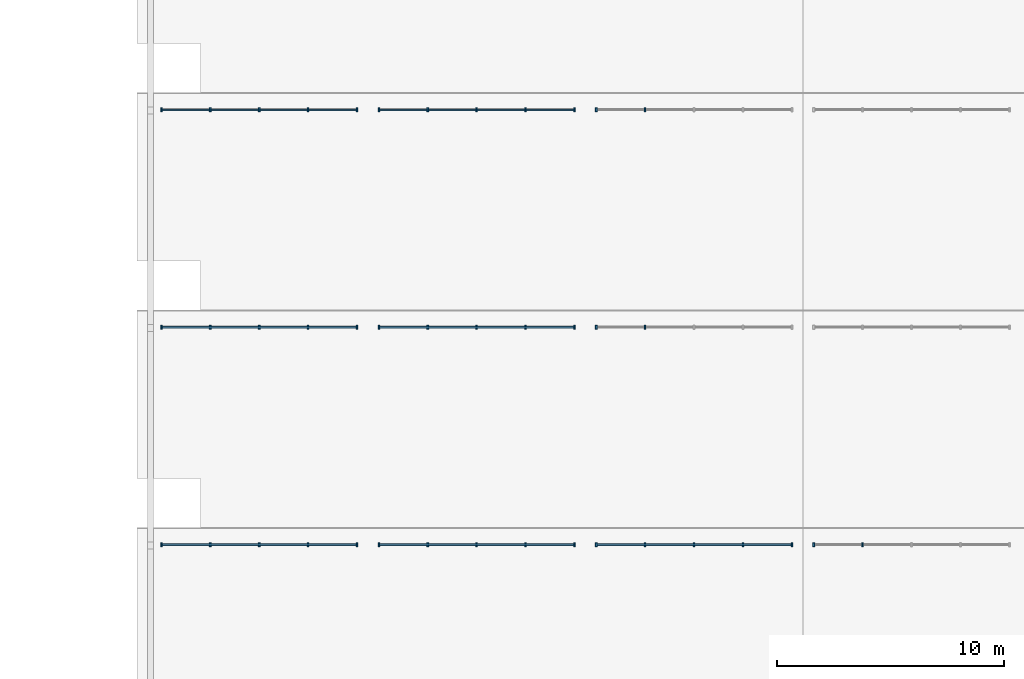
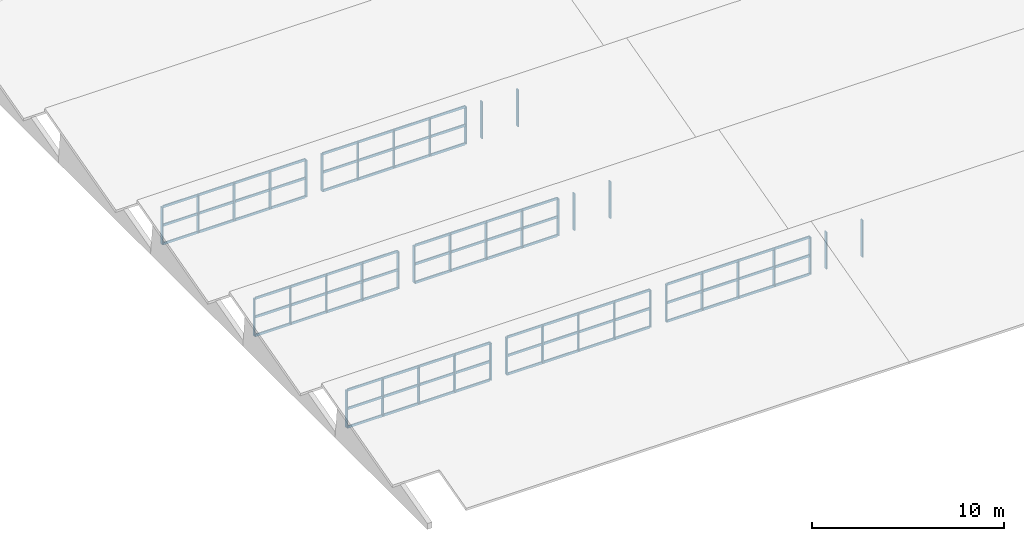
# One storey, part 1 of 18: 62 members, 10 elements without a shape of their own.
"""IFC4 building model written with IfcOpenShell, lengths in metres."""

from ifc_helpers import new_model, si_unit, direction, frame, origin, origin_2d, place, context, subcontext, project, spatial, rectangle, extrude, material, layer, layer_set, material_profile, profile_set, type_object, element, aggregate, save


model = new_model("IFC4")

# Units and contexts
model_context = context("Model", 3, precision=1e-05, world=origin(), true_north=direction((0.0, 1.0)))
body_context = subcontext(model_context, "Body", "Model", "MODEL_VIEW")
ifc_project = project(units=[si_unit("LENGTHUNIT", "METRE"), si_unit("AREAUNIT", "SQUARE_METRE"), si_unit("VOLUMEUNIT", "CUBIC_METRE"), si_unit("PLANEANGLEUNIT", "RADIAN"), si_unit("MASSUNIT", "GRAM", prefix="KILO")], contexts=[model_context])

# Site, building, storey
site_placement = place(None, origin())
site = spatial("IfcSite", under=ifc_project, at=site_placement, CompositionType="ELEMENT")
building_placement = place(site_placement, origin())
building = spatial("IfcBuilding", under=site, at=building_placement, Name="Bempovik Park Faculty of Sciences", CompositionType="ELEMENT")
storey_placement = place(building_placement, frame((0.0, 0.0, 50.10009765625)))
storey = spatial("IfcBuildingStorey", under=building, at=storey_placement, Name="Roof", CompositionType="ELEMENT", Elevation=50.10009765625)

# Curtain wall, members
ifc_material_1 = material(Name="Tempered laminated low-E glass", Category="glass")
ifc_layer_1 = layer(ifc_material_1, 0.159912109375)
ifc_layer_set_1 = layer_set([ifc_layer_1], Name="Tempered laminated low-E glass")
curtain_wall_type_1 = type_object("IfcCurtainWallType", Name="CW-17 Curtain 7200x2550", PredefinedType="USERDEFINED", material=ifc_layer_set_1)
curtain_wall_1_placement = place(storey_placement, origin())
curtain_wall_1 = element("IfcCurtainWall", 1, at=curtain_wall_1_placement, inside=storey, type_object=curtain_wall_type_1, Name="V1 Sawtooth North-Light Clerestory Bay 1 (60.0-69.6)", ObjectType="NORTH LIGHT CLERESTORY", PredefinedType="USERDEFINED")
ifc_material_2 = material(Name="Anodised aluminium", Category="aluminium")
ifc_material_profile_1 = material_profile(ifc_material_2, rectangle(XDim=0.070068359375, YDim=0.179931640625, at=origin_2d()), Name="ALU-M 70x180")
ifc_profile_set_1 = profile_set([ifc_material_profile_1], Name="Anodised aluminium")
member_type_1 = type_object("IfcMemberType", Name="ML-26 ALU-M 70x180", PredefinedType="MULLION", material=ifc_profile_set_1)
member_1_placement = place(storey_placement, frame((60.47998046875, 29.280029296875, -30.2001953125), z_axis=(0.0, 0.0, 1.0), x_axis=(1.0, 0.0, 0.0)))
member_1 = element("IfcMember", 2, at=member_1_placement, type_object=member_type_1, Name="CW-NL-V1-B1-600 Mullion 0", PredefinedType="MULLION", context=body_context, shape_type="SweptSolid", body=[
    extrude(rectangle(XDim=0.070068359375, YDim=0.179931640625, at=origin_2d()), origin(), (0.0, 0.0, 1.0), 2.352294921875),
])
member_2_placement = place(storey_placement, frame((62.639892578125, 29.280029296875, -30.2001953125), z_axis=(0.0, 0.0, 1.0), x_axis=(1.0, 0.0, 0.0)))
member_2 = element("IfcMember", 3, at=member_2_placement, type_object=member_type_1, Name="CW-NL-V1-B1-600 Mullion 1", PredefinedType="MULLION", context=body_context, shape_type="SweptSolid", body=[
    extrude(rectangle(XDim=0.070068359375, YDim=0.179931640625, at=origin_2d()), origin(), (0.0, 0.0, 1.0), 2.352294921875),
])
member_3_placement = place(storey_placement, frame((64.800048828125, 29.280029296875, -30.2001953125), z_axis=(0.0, 0.0, 1.0), x_axis=(1.0, 0.0, 0.0)))
member_3 = element("IfcMember", 4, at=member_3_placement, type_object=member_type_1, Name="CW-NL-V1-B1-600 Mullion 2", PredefinedType="MULLION", context=body_context, shape_type="SweptSolid", body=[
    extrude(rectangle(XDim=0.070068359375, YDim=0.179931640625, at=origin_2d()), origin(), (0.0, 0.0, 1.0), 2.352294921875),
])
member_4_placement = place(storey_placement, frame((66.9599609375, 29.280029296875, -30.2001953125), z_axis=(0.0, 0.0, 1.0), x_axis=(1.0, 0.0, 0.0)))
member_4 = element("IfcMember", 5, at=member_4_placement, type_object=member_type_1, Name="CW-NL-V1-B1-600 Mullion 3", PredefinedType="MULLION", context=body_context, shape_type="SweptSolid", body=[
    extrude(rectangle(XDim=0.070068359375, YDim=0.179931640625, at=origin_2d()), origin(), (0.0, 0.0, 1.0), 2.352294921875),
])
member_5_placement = place(storey_placement, frame((69.1201171875, 29.280029296875, -30.2001953125), z_axis=(0.0, 0.0, 1.0), x_axis=(1.0, 0.0, 0.0)))
member_5 = element("IfcMember", 6, at=member_5_placement, type_object=member_type_1, Name="CW-NL-V1-B1-600 Mullion 4", PredefinedType="MULLION", context=body_context, shape_type="SweptSolid", body=[
    extrude(rectangle(XDim=0.070068359375, YDim=0.179931640625, at=origin_2d()), origin(), (0.0, 0.0, 1.0), 2.352294921875),
])

ifc_layer_2 = layer(ifc_material_1, 0.159912109375)
ifc_layer_set_2 = layer_set([ifc_layer_2], Name="Tempered laminated low-E glass")
curtain_wall_type_2 = type_object("IfcCurtainWallType", Name="CW-53 Curtain 8000x2550", PredefinedType="USERDEFINED", material=ifc_layer_set_2)
curtain_wall_2_placement = place(storey_placement, origin())
curtain_wall_2 = element("IfcCurtainWall", 7, at=curtain_wall_2_placement, inside=storey, type_object=curtain_wall_type_2, Name="V1 Sawtooth North-Light Clerestory Bay 1 (69.6-79.2)", ObjectType="NORTH LIGHT CLERESTORY", PredefinedType="USERDEFINED")
member_6_placement = place(storey_placement, frame((70.080078125, 29.280029296875, -30.2001953125), z_axis=(0.0, 0.0, 1.0), x_axis=(1.0, 0.0, 0.0)))
member_6 = element("IfcMember", 8, at=member_6_placement, type_object=member_type_1, Name="CW-NL-V1-B1-696 Mullion 0", PredefinedType="MULLION", context=body_context, shape_type="SweptSolid", body=[
    extrude(rectangle(XDim=0.070068359375, YDim=0.179931640625, at=origin_2d()), origin(), (0.0, 0.0, 1.0), 2.352294921875),
])
member_7_placement = place(storey_placement, frame((72.239990234375, 29.280029296875, -30.2001953125), z_axis=(0.0, 0.0, 1.0), x_axis=(1.0, 0.0, 0.0)))
member_7 = element("IfcMember", 9, at=member_7_placement, type_object=member_type_1, Name="CW-NL-V1-B1-696 Mullion 1", PredefinedType="MULLION", context=body_context, shape_type="SweptSolid", body=[
    extrude(rectangle(XDim=0.070068359375, YDim=0.179931640625, at=origin_2d()), origin(), (0.0, 0.0, 1.0), 2.352294921875),
])
member_8_placement = place(storey_placement, frame((74.39990234375, 29.280029296875, -30.2001953125), z_axis=(0.0, 0.0, 1.0), x_axis=(1.0, 0.0, 0.0)))
member_8 = element("IfcMember", 10, at=member_8_placement, type_object=member_type_1, Name="CW-NL-V1-B1-696 Mullion 2", PredefinedType="MULLION", context=body_context, shape_type="SweptSolid", body=[
    extrude(rectangle(XDim=0.070068359375, YDim=0.179931640625, at=origin_2d()), origin(), (0.0, 0.0, 1.0), 2.352294921875),
])
member_9_placement = place(storey_placement, frame((76.56005859375, 29.280029296875, -30.2001953125), z_axis=(0.0, 0.0, 1.0), x_axis=(1.0, 0.0, 0.0)))
member_9 = element("IfcMember", 11, at=member_9_placement, type_object=member_type_1, Name="CW-NL-V1-B1-696 Mullion 3", PredefinedType="MULLION", context=body_context, shape_type="SweptSolid", body=[
    extrude(rectangle(XDim=0.070068359375, YDim=0.179931640625, at=origin_2d()), origin(), (0.0, 0.0, 1.0), 2.352294921875),
])
member_10_placement = place(storey_placement, frame((78.719970703125, 29.280029296875, -30.2001953125), z_axis=(0.0, 0.0, 1.0), x_axis=(1.0, 0.0, 0.0)))
member_10 = element("IfcMember", 12, at=member_10_placement, type_object=member_type_1, Name="CW-NL-V1-B1-696 Mullion 4", PredefinedType="MULLION", context=body_context, shape_type="SweptSolid", body=[
    extrude(rectangle(XDim=0.070068359375, YDim=0.179931640625, at=origin_2d()), origin(), (0.0, 0.0, 1.0), 2.352294921875),
])

curtain_wall_3_placement = place(storey_placement, origin())
curtain_wall_3 = element("IfcCurtainWall", 13, at=curtain_wall_3_placement, inside=storey, type_object=curtain_wall_type_2, Name="V1 Sawtooth North-Light Clerestory Bay 1 (79.2-88.8)", ObjectType="NORTH LIGHT CLERESTORY", PredefinedType="USERDEFINED")
member_11_placement = place(storey_placement, frame((79.679931640625, 29.280029296875, -30.2001953125), z_axis=(0.0, 0.0, 1.0), x_axis=(1.0, 0.0, 0.0)))
member_11 = element("IfcMember", 14, at=member_11_placement, type_object=member_type_1, Name="CW-NL-V1-B1-792 Mullion 0", PredefinedType="MULLION", context=body_context, shape_type="SweptSolid", body=[
    extrude(rectangle(XDim=0.070068359375, YDim=0.179931640625, at=origin_2d()), origin(), (0.0, 0.0, 1.0), 2.352294921875),
])
member_12_placement = place(storey_placement, frame((81.840087890625, 29.280029296875, -30.2001953125), z_axis=(0.0, 0.0, 1.0), x_axis=(1.0, 0.0, 0.0)))
member_12 = element("IfcMember", 15, at=member_12_placement, type_object=member_type_1, Name="CW-NL-V1-B1-792 Mullion 1", PredefinedType="MULLION", context=body_context, shape_type="SweptSolid", body=[
    extrude(rectangle(XDim=0.070068359375, YDim=0.179931640625, at=origin_2d()), origin(), (0.0, 0.0, 1.0), 2.352294921875),
])
member_13_placement = place(storey_placement, frame((84.0, 29.280029296875, -30.2001953125), z_axis=(0.0, 0.0, 1.0), x_axis=(1.0, 0.0, 0.0)))
member_13 = element("IfcMember", 16, at=member_13_placement, type_object=member_type_1, Name="CW-NL-V1-B1-792 Mullion 2", PredefinedType="MULLION", context=body_context, shape_type="SweptSolid", body=[
    extrude(rectangle(XDim=0.070068359375, YDim=0.179931640625, at=origin_2d()), origin(), (0.0, 0.0, 1.0), 2.352294921875),
])
member_14_placement = place(storey_placement, frame((86.159912109375, 29.280029296875, -30.2001953125), z_axis=(0.0, 0.0, 1.0), x_axis=(1.0, 0.0, 0.0)))
member_14 = element("IfcMember", 17, at=member_14_placement, type_object=member_type_1, Name="CW-NL-V1-B1-792 Mullion 3", PredefinedType="MULLION", context=body_context, shape_type="SweptSolid", body=[
    extrude(rectangle(XDim=0.070068359375, YDim=0.179931640625, at=origin_2d()), origin(), (0.0, 0.0, 1.0), 2.352294921875),
])
member_15_placement = place(storey_placement, frame((88.320068359375, 29.280029296875, -30.2001953125), z_axis=(0.0, 0.0, 1.0), x_axis=(1.0, 0.0, 0.0)))
member_15 = element("IfcMember", 18, at=member_15_placement, type_object=member_type_1, Name="CW-NL-V1-B1-792 Mullion 4", PredefinedType="MULLION", context=body_context, shape_type="SweptSolid", body=[
    extrude(rectangle(XDim=0.070068359375, YDim=0.179931640625, at=origin_2d()), origin(), (0.0, 0.0, 1.0), 2.352294921875),
])

curtain_wall_4_placement = place(storey_placement, origin())
curtain_wall_4 = element("IfcCurtainWall", 19, at=curtain_wall_4_placement, inside=storey, type_object=curtain_wall_type_2, Name="V1 Sawtooth North-Light Clerestory Bay 1 (88.8-98.4)", ObjectType="NORTH LIGHT CLERESTORY", PredefinedType="USERDEFINED")
member_16_placement = place(storey_placement, frame((89.280029296875, 29.280029296875, -30.2001953125), z_axis=(0.0, 0.0, 1.0), x_axis=(1.0, 0.0, 0.0)))
member_16 = element("IfcMember", 20, at=member_16_placement, type_object=member_type_1, Name="CW-NL-V1-B1-888 Mullion 0", PredefinedType="MULLION", context=body_context, shape_type="SweptSolid", body=[
    extrude(rectangle(XDim=0.070068359375, YDim=0.179931640625, at=origin_2d()), origin(), (0.0, 0.0, 1.0), 2.352294921875),
])
member_17_placement = place(storey_placement, frame((91.43994140625, 29.280029296875, -30.2001953125), z_axis=(0.0, 0.0, 1.0), x_axis=(1.0, 0.0, 0.0)))
member_17 = element("IfcMember", 21, at=member_17_placement, type_object=member_type_1, Name="CW-NL-V1-B1-888 Mullion 1", PredefinedType="MULLION", context=body_context, shape_type="SweptSolid", body=[
    extrude(rectangle(XDim=0.070068359375, YDim=0.179931640625, at=origin_2d()), origin(), (0.0, 0.0, 1.0), 2.352294921875),
])
aggregate(curtain_wall_4, [member_16, member_17])

curtain_wall_5_placement = place(storey_placement, origin())
curtain_wall_5 = element("IfcCurtainWall", 22, at=curtain_wall_5_placement, inside=storey, type_object=curtain_wall_type_1, Name="V1 Sawtooth North-Light Clerestory Bay 2 (60.0-69.6)", ObjectType="NORTH LIGHT CLERESTORY", PredefinedType="USERDEFINED")
member_18_placement = place(storey_placement, frame((60.47998046875, 38.8798828125, -30.2001953125), z_axis=(0.0, 0.0, 1.0), x_axis=(1.0, 0.0, 0.0)))
member_18 = element("IfcMember", 23, at=member_18_placement, type_object=member_type_1, Name="CW-NL-V1-B2-600 Mullion 0", PredefinedType="MULLION", context=body_context, shape_type="SweptSolid", body=[
    extrude(rectangle(XDim=0.070068359375, YDim=0.179931640625, at=origin_2d()), origin(), (0.0, 0.0, 1.0), 2.352294921875),
])
member_19_placement = place(storey_placement, frame((62.639892578125, 38.8798828125, -30.2001953125), z_axis=(0.0, 0.0, 1.0), x_axis=(1.0, 0.0, 0.0)))
member_19 = element("IfcMember", 24, at=member_19_placement, type_object=member_type_1, Name="CW-NL-V1-B2-600 Mullion 1", PredefinedType="MULLION", context=body_context, shape_type="SweptSolid", body=[
    extrude(rectangle(XDim=0.070068359375, YDim=0.179931640625, at=origin_2d()), origin(), (0.0, 0.0, 1.0), 2.352294921875),
])
member_20_placement = place(storey_placement, frame((64.800048828125, 38.8798828125, -30.2001953125), z_axis=(0.0, 0.0, 1.0), x_axis=(1.0, 0.0, 0.0)))
member_20 = element("IfcMember", 25, at=member_20_placement, type_object=member_type_1, Name="CW-NL-V1-B2-600 Mullion 2", PredefinedType="MULLION", context=body_context, shape_type="SweptSolid", body=[
    extrude(rectangle(XDim=0.070068359375, YDim=0.179931640625, at=origin_2d()), origin(), (0.0, 0.0, 1.0), 2.352294921875),
])
member_21_placement = place(storey_placement, frame((66.9599609375, 38.8798828125, -30.2001953125), z_axis=(0.0, 0.0, 1.0), x_axis=(1.0, 0.0, 0.0)))
member_21 = element("IfcMember", 26, at=member_21_placement, type_object=member_type_1, Name="CW-NL-V1-B2-600 Mullion 3", PredefinedType="MULLION", context=body_context, shape_type="SweptSolid", body=[
    extrude(rectangle(XDim=0.070068359375, YDim=0.179931640625, at=origin_2d()), origin(), (0.0, 0.0, 1.0), 2.352294921875),
])
member_22_placement = place(storey_placement, frame((69.1201171875, 38.8798828125, -30.2001953125), z_axis=(0.0, 0.0, 1.0), x_axis=(1.0, 0.0, 0.0)))
member_22 = element("IfcMember", 27, at=member_22_placement, type_object=member_type_1, Name="CW-NL-V1-B2-600 Mullion 4", PredefinedType="MULLION", context=body_context, shape_type="SweptSolid", body=[
    extrude(rectangle(XDim=0.070068359375, YDim=0.179931640625, at=origin_2d()), origin(), (0.0, 0.0, 1.0), 2.352294921875),
])

curtain_wall_6_placement = place(storey_placement, origin())
curtain_wall_6 = element("IfcCurtainWall", 28, at=curtain_wall_6_placement, inside=storey, type_object=curtain_wall_type_2, Name="V1 Sawtooth North-Light Clerestory Bay 2 (69.6-79.2)", ObjectType="NORTH LIGHT CLERESTORY", PredefinedType="USERDEFINED")
member_23_placement = place(storey_placement, frame((70.080078125, 38.8798828125, -30.2001953125), z_axis=(0.0, 0.0, 1.0), x_axis=(1.0, 0.0, 0.0)))
member_23 = element("IfcMember", 29, at=member_23_placement, type_object=member_type_1, Name="CW-NL-V1-B2-696 Mullion 0", PredefinedType="MULLION", context=body_context, shape_type="SweptSolid", body=[
    extrude(rectangle(XDim=0.070068359375, YDim=0.179931640625, at=origin_2d()), origin(), (0.0, 0.0, 1.0), 2.352294921875),
])
member_24_placement = place(storey_placement, frame((72.239990234375, 38.8798828125, -30.2001953125), z_axis=(0.0, 0.0, 1.0), x_axis=(1.0, 0.0, 0.0)))
member_24 = element("IfcMember", 30, at=member_24_placement, type_object=member_type_1, Name="CW-NL-V1-B2-696 Mullion 1", PredefinedType="MULLION", context=body_context, shape_type="SweptSolid", body=[
    extrude(rectangle(XDim=0.070068359375, YDim=0.179931640625, at=origin_2d()), origin(), (0.0, 0.0, 1.0), 2.352294921875),
])
member_25_placement = place(storey_placement, frame((74.39990234375, 38.8798828125, -30.2001953125), z_axis=(0.0, 0.0, 1.0), x_axis=(1.0, 0.0, 0.0)))
member_25 = element("IfcMember", 31, at=member_25_placement, type_object=member_type_1, Name="CW-NL-V1-B2-696 Mullion 2", PredefinedType="MULLION", context=body_context, shape_type="SweptSolid", body=[
    extrude(rectangle(XDim=0.070068359375, YDim=0.179931640625, at=origin_2d()), origin(), (0.0, 0.0, 1.0), 2.352294921875),
])
member_26_placement = place(storey_placement, frame((76.56005859375, 38.8798828125, -30.2001953125), z_axis=(0.0, 0.0, 1.0), x_axis=(1.0, 0.0, 0.0)))
member_26 = element("IfcMember", 32, at=member_26_placement, type_object=member_type_1, Name="CW-NL-V1-B2-696 Mullion 3", PredefinedType="MULLION", context=body_context, shape_type="SweptSolid", body=[
    extrude(rectangle(XDim=0.070068359375, YDim=0.179931640625, at=origin_2d()), origin(), (0.0, 0.0, 1.0), 2.352294921875),
])
member_27_placement = place(storey_placement, frame((78.719970703125, 38.8798828125, -30.2001953125), z_axis=(0.0, 0.0, 1.0), x_axis=(1.0, 0.0, 0.0)))
member_27 = element("IfcMember", 33, at=member_27_placement, type_object=member_type_1, Name="CW-NL-V1-B2-696 Mullion 4", PredefinedType="MULLION", context=body_context, shape_type="SweptSolid", body=[
    extrude(rectangle(XDim=0.070068359375, YDim=0.179931640625, at=origin_2d()), origin(), (0.0, 0.0, 1.0), 2.352294921875),
])

curtain_wall_7_placement = place(storey_placement, origin())
curtain_wall_7 = element("IfcCurtainWall", 34, at=curtain_wall_7_placement, inside=storey, type_object=curtain_wall_type_2, Name="V1 Sawtooth North-Light Clerestory Bay 2 (79.2-88.8)", ObjectType="NORTH LIGHT CLERESTORY", PredefinedType="USERDEFINED")
member_28_placement = place(storey_placement, frame((79.679931640625, 38.8798828125, -30.2001953125), z_axis=(0.0, 0.0, 1.0), x_axis=(1.0, 0.0, 0.0)))
member_28 = element("IfcMember", 35, at=member_28_placement, type_object=member_type_1, Name="CW-NL-V1-B2-792 Mullion 0", PredefinedType="MULLION", context=body_context, shape_type="SweptSolid", body=[
    extrude(rectangle(XDim=0.070068359375, YDim=0.179931640625, at=origin_2d()), origin(), (0.0, 0.0, 1.0), 2.352294921875),
])
member_29_placement = place(storey_placement, frame((81.840087890625, 38.8798828125, -30.2001953125), z_axis=(0.0, 0.0, 1.0), x_axis=(1.0, 0.0, 0.0)))
member_29 = element("IfcMember", 36, at=member_29_placement, type_object=member_type_1, Name="CW-NL-V1-B2-792 Mullion 1", PredefinedType="MULLION", context=body_context, shape_type="SweptSolid", body=[
    extrude(rectangle(XDim=0.070068359375, YDim=0.179931640625, at=origin_2d()), origin(), (0.0, 0.0, 1.0), 2.352294921875),
])
aggregate(curtain_wall_7, [member_28, member_29])

curtain_wall_8_placement = place(storey_placement, origin())
curtain_wall_8 = element("IfcCurtainWall", 37, at=curtain_wall_8_placement, inside=storey, type_object=curtain_wall_type_1, Name="V1 Sawtooth North-Light Clerestory Bay 3 (60.0-69.6)", ObjectType="NORTH LIGHT CLERESTORY", PredefinedType="USERDEFINED")
member_30_placement = place(storey_placement, frame((60.47998046875, 48.47998046875, -30.2001953125), z_axis=(0.0, 0.0, 1.0), x_axis=(1.0, 0.0, 0.0)))
member_30 = element("IfcMember", 38, at=member_30_placement, type_object=member_type_1, Name="CW-NL-V1-B3-600 Mullion 0", PredefinedType="MULLION", context=body_context, shape_type="SweptSolid", body=[
    extrude(rectangle(XDim=0.070068359375, YDim=0.179931640625, at=origin_2d()), origin(), (0.0, 0.0, 1.0), 2.352294921875),
])
member_31_placement = place(storey_placement, frame((62.639892578125, 48.47998046875, -30.2001953125), z_axis=(0.0, 0.0, 1.0), x_axis=(1.0, 0.0, 0.0)))
member_31 = element("IfcMember", 39, at=member_31_placement, type_object=member_type_1, Name="CW-NL-V1-B3-600 Mullion 1", PredefinedType="MULLION", context=body_context, shape_type="SweptSolid", body=[
    extrude(rectangle(XDim=0.070068359375, YDim=0.179931640625, at=origin_2d()), origin(), (0.0, 0.0, 1.0), 2.352294921875),
])
member_32_placement = place(storey_placement, frame((64.800048828125, 48.47998046875, -30.2001953125), z_axis=(0.0, 0.0, 1.0), x_axis=(1.0, 0.0, 0.0)))
member_32 = element("IfcMember", 40, at=member_32_placement, type_object=member_type_1, Name="CW-NL-V1-B3-600 Mullion 2", PredefinedType="MULLION", context=body_context, shape_type="SweptSolid", body=[
    extrude(rectangle(XDim=0.070068359375, YDim=0.179931640625, at=origin_2d()), origin(), (0.0, 0.0, 1.0), 2.352294921875),
])
member_33_placement = place(storey_placement, frame((66.9599609375, 48.47998046875, -30.2001953125), z_axis=(0.0, 0.0, 1.0), x_axis=(1.0, 0.0, 0.0)))
member_33 = element("IfcMember", 41, at=member_33_placement, type_object=member_type_1, Name="CW-NL-V1-B3-600 Mullion 3", PredefinedType="MULLION", context=body_context, shape_type="SweptSolid", body=[
    extrude(rectangle(XDim=0.070068359375, YDim=0.179931640625, at=origin_2d()), origin(), (0.0, 0.0, 1.0), 2.352294921875),
])
member_34_placement = place(storey_placement, frame((69.1201171875, 48.47998046875, -30.2001953125), z_axis=(0.0, 0.0, 1.0), x_axis=(1.0, 0.0, 0.0)))
member_34 = element("IfcMember", 42, at=member_34_placement, type_object=member_type_1, Name="CW-NL-V1-B3-600 Mullion 4", PredefinedType="MULLION", context=body_context, shape_type="SweptSolid", body=[
    extrude(rectangle(XDim=0.070068359375, YDim=0.179931640625, at=origin_2d()), origin(), (0.0, 0.0, 1.0), 2.352294921875),
])

curtain_wall_9_placement = place(storey_placement, origin())
curtain_wall_9 = element("IfcCurtainWall", 43, at=curtain_wall_9_placement, inside=storey, type_object=curtain_wall_type_2, Name="V1 Sawtooth North-Light Clerestory Bay 3 (69.6-79.2)", ObjectType="NORTH LIGHT CLERESTORY", PredefinedType="USERDEFINED")
member_35_placement = place(storey_placement, frame((70.080078125, 48.47998046875, -30.2001953125), z_axis=(0.0, 0.0, 1.0), x_axis=(1.0, 0.0, 0.0)))
member_35 = element("IfcMember", 44, at=member_35_placement, type_object=member_type_1, Name="CW-NL-V1-B3-696 Mullion 0", PredefinedType="MULLION", context=body_context, shape_type="SweptSolid", body=[
    extrude(rectangle(XDim=0.070068359375, YDim=0.179931640625, at=origin_2d()), origin(), (0.0, 0.0, 1.0), 2.352294921875),
])
member_36_placement = place(storey_placement, frame((72.239990234375, 48.47998046875, -30.2001953125), z_axis=(0.0, 0.0, 1.0), x_axis=(1.0, 0.0, 0.0)))
member_36 = element("IfcMember", 45, at=member_36_placement, type_object=member_type_1, Name="CW-NL-V1-B3-696 Mullion 1", PredefinedType="MULLION", context=body_context, shape_type="SweptSolid", body=[
    extrude(rectangle(XDim=0.070068359375, YDim=0.179931640625, at=origin_2d()), origin(), (0.0, 0.0, 1.0), 2.352294921875),
])
member_37_placement = place(storey_placement, frame((74.39990234375, 48.47998046875, -30.2001953125), z_axis=(0.0, 0.0, 1.0), x_axis=(1.0, 0.0, 0.0)))
member_37 = element("IfcMember", 46, at=member_37_placement, type_object=member_type_1, Name="CW-NL-V1-B3-696 Mullion 2", PredefinedType="MULLION", context=body_context, shape_type="SweptSolid", body=[
    extrude(rectangle(XDim=0.070068359375, YDim=0.179931640625, at=origin_2d()), origin(), (0.0, 0.0, 1.0), 2.352294921875),
])
member_38_placement = place(storey_placement, frame((76.56005859375, 48.47998046875, -30.2001953125), z_axis=(0.0, 0.0, 1.0), x_axis=(1.0, 0.0, 0.0)))
member_38 = element("IfcMember", 47, at=member_38_placement, type_object=member_type_1, Name="CW-NL-V1-B3-696 Mullion 3", PredefinedType="MULLION", context=body_context, shape_type="SweptSolid", body=[
    extrude(rectangle(XDim=0.070068359375, YDim=0.179931640625, at=origin_2d()), origin(), (0.0, 0.0, 1.0), 2.352294921875),
])
member_39_placement = place(storey_placement, frame((78.719970703125, 48.47998046875, -30.2001953125), z_axis=(0.0, 0.0, 1.0), x_axis=(1.0, 0.0, 0.0)))
member_39 = element("IfcMember", 48, at=member_39_placement, type_object=member_type_1, Name="CW-NL-V1-B3-696 Mullion 4", PredefinedType="MULLION", context=body_context, shape_type="SweptSolid", body=[
    extrude(rectangle(XDim=0.070068359375, YDim=0.179931640625, at=origin_2d()), origin(), (0.0, 0.0, 1.0), 2.352294921875),
])

curtain_wall_10_placement = place(storey_placement, origin())
curtain_wall_10 = element("IfcCurtainWall", 49, at=curtain_wall_10_placement, inside=storey, type_object=curtain_wall_type_2, Name="V1 Sawtooth North-Light Clerestory Bay 3 (79.2-88.8)", ObjectType="NORTH LIGHT CLERESTORY", PredefinedType="USERDEFINED")
member_40_placement = place(storey_placement, frame((79.679931640625, 48.47998046875, -30.2001953125), z_axis=(0.0, 0.0, 1.0), x_axis=(1.0, 0.0, 0.0)))
member_40 = element("IfcMember", 50, at=member_40_placement, type_object=member_type_1, Name="CW-NL-V1-B3-792 Mullion 0", PredefinedType="MULLION", context=body_context, shape_type="SweptSolid", body=[
    extrude(rectangle(XDim=0.070068359375, YDim=0.179931640625, at=origin_2d()), origin(), (0.0, 0.0, 1.0), 2.352294921875),
])
member_41_placement = place(storey_placement, frame((81.840087890625, 48.47998046875, -30.2001953125), z_axis=(0.0, 0.0, 1.0), x_axis=(1.0, 0.0, 0.0)))
member_41 = element("IfcMember", 51, at=member_41_placement, type_object=member_type_1, Name="CW-NL-V1-B3-792 Mullion 1", PredefinedType="MULLION", context=body_context, shape_type="SweptSolid", body=[
    extrude(rectangle(XDim=0.070068359375, YDim=0.179931640625, at=origin_2d()), origin(), (0.0, 0.0, 1.0), 2.352294921875),
])
aggregate(curtain_wall_10, [member_40, member_41])

# Member
ifc_material_profile_2 = material_profile(ifc_material_2, rectangle(XDim=0.070068359375, YDim=0.14990234375, at=origin_2d()), Name="ALU-T 70x150")
ifc_profile_set_2 = profile_set([ifc_material_profile_2], Name="Anodised aluminium")
member_type_2 = type_object("IfcMemberType", Name="TR-21 ALU-T 70x150", PredefinedType="USERDEFINED", material=ifc_profile_set_2)
member_42_placement = place(storey_placement, frame((60.52001953125, 29.280029296875, -30.2001953125), z_axis=(1.0, 0.0, 0.0), x_axis=(0.0, 1.0, 0.0)))
member_42 = element("IfcMember", 52, at=member_42_placement, type_object=member_type_2, Name="CW-NL-V1-B1-600 Transom 0", ObjectType="TRANSOM", PredefinedType="USERDEFINED", context=body_context, shape_type="SweptSolid", body=[
    extrude(rectangle(XDim=0.070068359375, YDim=0.14990234375, at=origin_2d()), origin(), (0.0, 0.0, 1.0), 8.56005859375),
])

member_43_placement = place(storey_placement, frame((60.52001953125, 29.280029296875, -29.02392578125), z_axis=(1.0, 0.0, 0.0), x_axis=(0.0, 1.0, 0.0)))
member_43 = element("IfcMember", 53, at=member_43_placement, type_object=member_type_2, Name="CW-NL-V1-B1-600 Transom 1", ObjectType="TRANSOM", PredefinedType="USERDEFINED", context=body_context, shape_type="SweptSolid", body=[
    extrude(rectangle(XDim=0.070068359375, YDim=0.14990234375, at=origin_2d()), origin(), (0.0, 0.0, 1.0), 8.56005859375),
])

member_44_placement = place(storey_placement, frame((60.52001953125, 29.280029296875, -27.847900390625), z_axis=(1.0, 0.0, 0.0), x_axis=(0.0, 1.0, 0.0)))
member_44 = element("IfcMember", 54, at=member_44_placement, type_object=member_type_2, Name="CW-NL-V1-B1-600 Transom 2", ObjectType="TRANSOM", PredefinedType="USERDEFINED", context=body_context, shape_type="SweptSolid", body=[
    extrude(rectangle(XDim=0.070068359375, YDim=0.14990234375, at=origin_2d()), origin(), (0.0, 0.0, 1.0), 8.56005859375),
])

aggregate(curtain_wall_1, [member_1, member_2, member_3, member_4, member_5, member_42, member_43, member_44])

member_45_placement = place(storey_placement, frame((70.1201171875, 29.280029296875, -30.2001953125), z_axis=(1.0, 0.0, 0.0), x_axis=(0.0, 1.0, 0.0)))
member_45 = element("IfcMember", 55, at=member_45_placement, type_object=member_type_2, Name="CW-NL-V1-B1-696 Transom 0", ObjectType="TRANSOM", PredefinedType="USERDEFINED", context=body_context, shape_type="SweptSolid", body=[
    extrude(rectangle(XDim=0.070068359375, YDim=0.14990234375, at=origin_2d()), origin(), (0.0, 0.0, 1.0), 8.559814453125),
])

member_46_placement = place(storey_placement, frame((70.1201171875, 29.280029296875, -29.02392578125), z_axis=(1.0, 0.0, 0.0), x_axis=(0.0, 1.0, 0.0)))
member_46 = element("IfcMember", 56, at=member_46_placement, type_object=member_type_2, Name="CW-NL-V1-B1-696 Transom 1", ObjectType="TRANSOM", PredefinedType="USERDEFINED", context=body_context, shape_type="SweptSolid", body=[
    extrude(rectangle(XDim=0.070068359375, YDim=0.14990234375, at=origin_2d()), origin(), (0.0, 0.0, 1.0), 8.559814453125),
])

member_47_placement = place(storey_placement, frame((70.1201171875, 29.280029296875, -27.847900390625), z_axis=(1.0, 0.0, 0.0), x_axis=(0.0, 1.0, 0.0)))
member_47 = element("IfcMember", 57, at=member_47_placement, type_object=member_type_2, Name="CW-NL-V1-B1-696 Transom 2", ObjectType="TRANSOM", PredefinedType="USERDEFINED", context=body_context, shape_type="SweptSolid", body=[
    extrude(rectangle(XDim=0.070068359375, YDim=0.14990234375, at=origin_2d()), origin(), (0.0, 0.0, 1.0), 8.559814453125),
])

aggregate(curtain_wall_2, [member_6, member_7, member_8, member_9, member_10, member_45, member_46, member_47])

member_48_placement = place(storey_placement, frame((79.719970703125, 29.280029296875, -30.2001953125), z_axis=(1.0, 0.0, 0.0), x_axis=(0.0, 1.0, 0.0)))
member_48 = element("IfcMember", 58, at=member_48_placement, type_object=member_type_2, Name="CW-NL-V1-B1-792 Transom 0", ObjectType="TRANSOM", PredefinedType="USERDEFINED", context=body_context, shape_type="SweptSolid", body=[
    extrude(rectangle(XDim=0.070068359375, YDim=0.14990234375, at=origin_2d()), origin(), (0.0, 0.0, 1.0), 8.56005859375),
])

member_49_placement = place(storey_placement, frame((79.719970703125, 29.280029296875, -29.02392578125), z_axis=(1.0, 0.0, 0.0), x_axis=(0.0, 1.0, 0.0)))
member_49 = element("IfcMember", 59, at=member_49_placement, type_object=member_type_2, Name="CW-NL-V1-B1-792 Transom 1", ObjectType="TRANSOM", PredefinedType="USERDEFINED", context=body_context, shape_type="SweptSolid", body=[
    extrude(rectangle(XDim=0.070068359375, YDim=0.14990234375, at=origin_2d()), origin(), (0.0, 0.0, 1.0), 8.56005859375),
])

member_50_placement = place(storey_placement, frame((79.719970703125, 29.280029296875, -27.847900390625), z_axis=(1.0, 0.0, 0.0), x_axis=(0.0, 1.0, 0.0)))
member_50 = element("IfcMember", 60, at=member_50_placement, type_object=member_type_2, Name="CW-NL-V1-B1-792 Transom 2", ObjectType="TRANSOM", PredefinedType="USERDEFINED", context=body_context, shape_type="SweptSolid", body=[
    extrude(rectangle(XDim=0.070068359375, YDim=0.14990234375, at=origin_2d()), origin(), (0.0, 0.0, 1.0), 8.56005859375),
])

aggregate(curtain_wall_3, [member_11, member_12, member_13, member_14, member_15, member_48, member_49, member_50])

member_51_placement = place(storey_placement, frame((60.52001953125, 38.8798828125, -30.2001953125), z_axis=(1.0, 0.0, 0.0), x_axis=(0.0, 1.0, 0.0)))
member_51 = element("IfcMember", 61, at=member_51_placement, type_object=member_type_2, Name="CW-NL-V1-B2-600 Transom 0", ObjectType="TRANSOM", PredefinedType="USERDEFINED", context=body_context, shape_type="SweptSolid", body=[
    extrude(rectangle(XDim=0.070068359375, YDim=0.14990234375, at=origin_2d()), origin(), (0.0, 0.0, 1.0), 8.56005859375),
])

member_52_placement = place(storey_placement, frame((60.52001953125, 38.8798828125, -29.02392578125), z_axis=(1.0, 0.0, 0.0), x_axis=(0.0, 1.0, 0.0)))
member_52 = element("IfcMember", 62, at=member_52_placement, type_object=member_type_2, Name="CW-NL-V1-B2-600 Transom 1", ObjectType="TRANSOM", PredefinedType="USERDEFINED", context=body_context, shape_type="SweptSolid", body=[
    extrude(rectangle(XDim=0.070068359375, YDim=0.14990234375, at=origin_2d()), origin(), (0.0, 0.0, 1.0), 8.56005859375),
])

member_53_placement = place(storey_placement, frame((60.52001953125, 38.8798828125, -27.847900390625), z_axis=(1.0, 0.0, 0.0), x_axis=(0.0, 1.0, 0.0)))
member_53 = element("IfcMember", 63, at=member_53_placement, type_object=member_type_2, Name="CW-NL-V1-B2-600 Transom 2", ObjectType="TRANSOM", PredefinedType="USERDEFINED", context=body_context, shape_type="SweptSolid", body=[
    extrude(rectangle(XDim=0.070068359375, YDim=0.14990234375, at=origin_2d()), origin(), (0.0, 0.0, 1.0), 8.56005859375),
])

aggregate(curtain_wall_5, [member_18, member_19, member_20, member_21, member_22, member_51, member_52, member_53])

member_54_placement = place(storey_placement, frame((70.1201171875, 38.8798828125, -30.2001953125), z_axis=(1.0, 0.0, 0.0), x_axis=(0.0, 1.0, 0.0)))
member_54 = element("IfcMember", 64, at=member_54_placement, type_object=member_type_2, Name="CW-NL-V1-B2-696 Transom 0", ObjectType="TRANSOM", PredefinedType="USERDEFINED", context=body_context, shape_type="SweptSolid", body=[
    extrude(rectangle(XDim=0.070068359375, YDim=0.14990234375, at=origin_2d()), origin(), (0.0, 0.0, 1.0), 8.559814453125),
])

member_55_placement = place(storey_placement, frame((70.1201171875, 38.8798828125, -29.02392578125), z_axis=(1.0, 0.0, 0.0), x_axis=(0.0, 1.0, 0.0)))
member_55 = element("IfcMember", 65, at=member_55_placement, type_object=member_type_2, Name="CW-NL-V1-B2-696 Transom 1", ObjectType="TRANSOM", PredefinedType="USERDEFINED", context=body_context, shape_type="SweptSolid", body=[
    extrude(rectangle(XDim=0.070068359375, YDim=0.14990234375, at=origin_2d()), origin(), (0.0, 0.0, 1.0), 8.559814453125),
])

member_56_placement = place(storey_placement, frame((70.1201171875, 38.8798828125, -27.847900390625), z_axis=(1.0, 0.0, 0.0), x_axis=(0.0, 1.0, 0.0)))
member_56 = element("IfcMember", 66, at=member_56_placement, type_object=member_type_2, Name="CW-NL-V1-B2-696 Transom 2", ObjectType="TRANSOM", PredefinedType="USERDEFINED", context=body_context, shape_type="SweptSolid", body=[
    extrude(rectangle(XDim=0.070068359375, YDim=0.14990234375, at=origin_2d()), origin(), (0.0, 0.0, 1.0), 8.559814453125),
])

aggregate(curtain_wall_6, [member_23, member_24, member_25, member_26, member_27, member_54, member_55, member_56])

member_57_placement = place(storey_placement, frame((60.52001953125, 48.47998046875, -30.2001953125), z_axis=(1.0, 0.0, 0.0), x_axis=(0.0, 1.0, 0.0)))
member_57 = element("IfcMember", 67, at=member_57_placement, type_object=member_type_2, Name="CW-NL-V1-B3-600 Transom 0", ObjectType="TRANSOM", PredefinedType="USERDEFINED", context=body_context, shape_type="SweptSolid", body=[
    extrude(rectangle(XDim=0.070068359375, YDim=0.14990234375, at=origin_2d()), origin(), (0.0, 0.0, 1.0), 8.56005859375),
])

member_58_placement = place(storey_placement, frame((60.52001953125, 48.47998046875, -29.02392578125), z_axis=(1.0, 0.0, 0.0), x_axis=(0.0, 1.0, 0.0)))
member_58 = element("IfcMember", 68, at=member_58_placement, type_object=member_type_2, Name="CW-NL-V1-B3-600 Transom 1", ObjectType="TRANSOM", PredefinedType="USERDEFINED", context=body_context, shape_type="SweptSolid", body=[
    extrude(rectangle(XDim=0.070068359375, YDim=0.14990234375, at=origin_2d()), origin(), (0.0, 0.0, 1.0), 8.56005859375),
])

member_59_placement = place(storey_placement, frame((60.52001953125, 48.47998046875, -27.847900390625), z_axis=(1.0, 0.0, 0.0), x_axis=(0.0, 1.0, 0.0)))
member_59 = element("IfcMember", 69, at=member_59_placement, type_object=member_type_2, Name="CW-NL-V1-B3-600 Transom 2", ObjectType="TRANSOM", PredefinedType="USERDEFINED", context=body_context, shape_type="SweptSolid", body=[
    extrude(rectangle(XDim=0.070068359375, YDim=0.14990234375, at=origin_2d()), origin(), (0.0, 0.0, 1.0), 8.56005859375),
])

aggregate(curtain_wall_8, [member_30, member_31, member_32, member_33, member_34, member_57, member_58, member_59])

member_60_placement = place(storey_placement, frame((70.1201171875, 48.47998046875, -30.2001953125), z_axis=(1.0, 0.0, 0.0), x_axis=(0.0, 1.0, 0.0)))
member_60 = element("IfcMember", 70, at=member_60_placement, type_object=member_type_2, Name="CW-NL-V1-B3-696 Transom 0", ObjectType="TRANSOM", PredefinedType="USERDEFINED", context=body_context, shape_type="SweptSolid", body=[
    extrude(rectangle(XDim=0.070068359375, YDim=0.14990234375, at=origin_2d()), origin(), (0.0, 0.0, 1.0), 8.559814453125),
])

member_61_placement = place(storey_placement, frame((70.1201171875, 48.47998046875, -29.02392578125), z_axis=(1.0, 0.0, 0.0), x_axis=(0.0, 1.0, 0.0)))
member_61 = element("IfcMember", 71, at=member_61_placement, type_object=member_type_2, Name="CW-NL-V1-B3-696 Transom 1", ObjectType="TRANSOM", PredefinedType="USERDEFINED", context=body_context, shape_type="SweptSolid", body=[
    extrude(rectangle(XDim=0.070068359375, YDim=0.14990234375, at=origin_2d()), origin(), (0.0, 0.0, 1.0), 8.559814453125),
])

member_62_placement = place(storey_placement, frame((70.1201171875, 48.47998046875, -27.847900390625), z_axis=(1.0, 0.0, 0.0), x_axis=(0.0, 1.0, 0.0)))
member_62 = element("IfcMember", 72, at=member_62_placement, type_object=member_type_2, Name="CW-NL-V1-B3-696 Transom 2", ObjectType="TRANSOM", PredefinedType="USERDEFINED", context=body_context, shape_type="SweptSolid", body=[
    extrude(rectangle(XDim=0.070068359375, YDim=0.14990234375, at=origin_2d()), origin(), (0.0, 0.0, 1.0), 8.559814453125),
])

aggregate(curtain_wall_9, [member_35, member_36, member_37, member_38, member_39, member_60, member_61, member_62])

save(model, "model.ifc")
